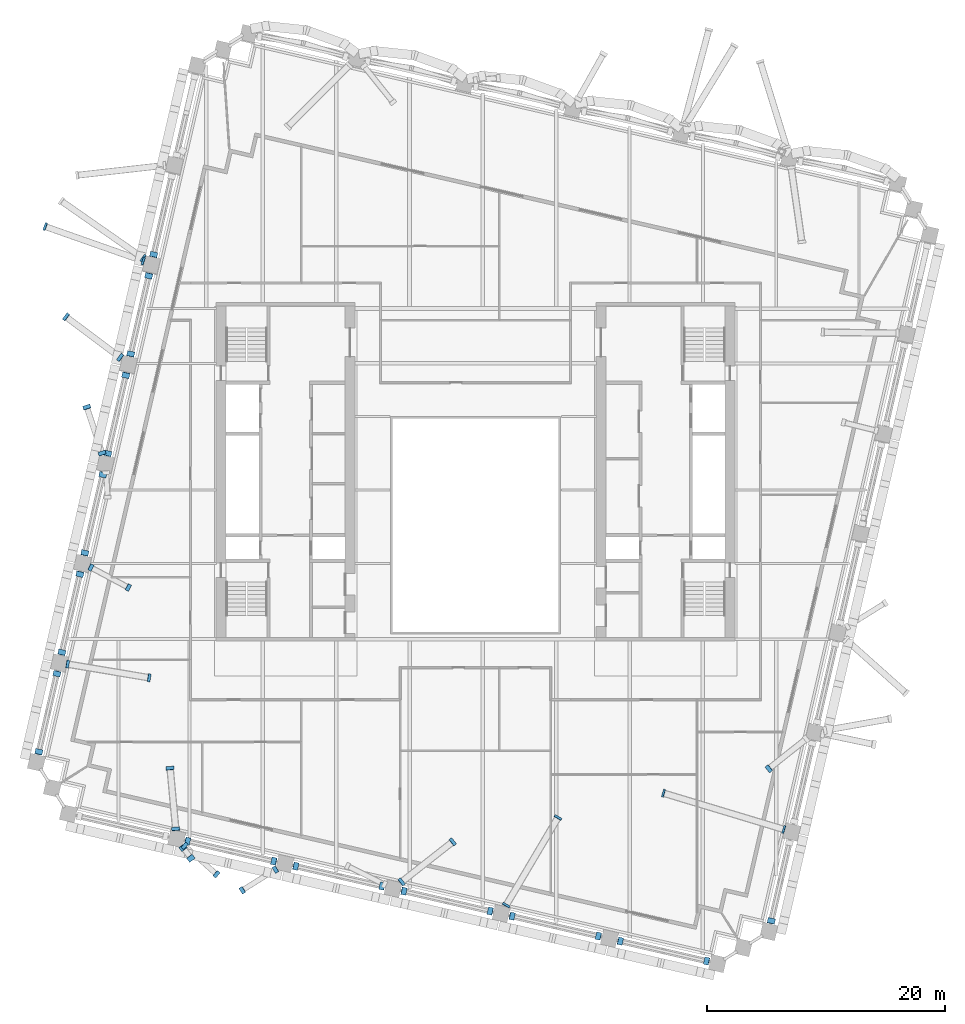
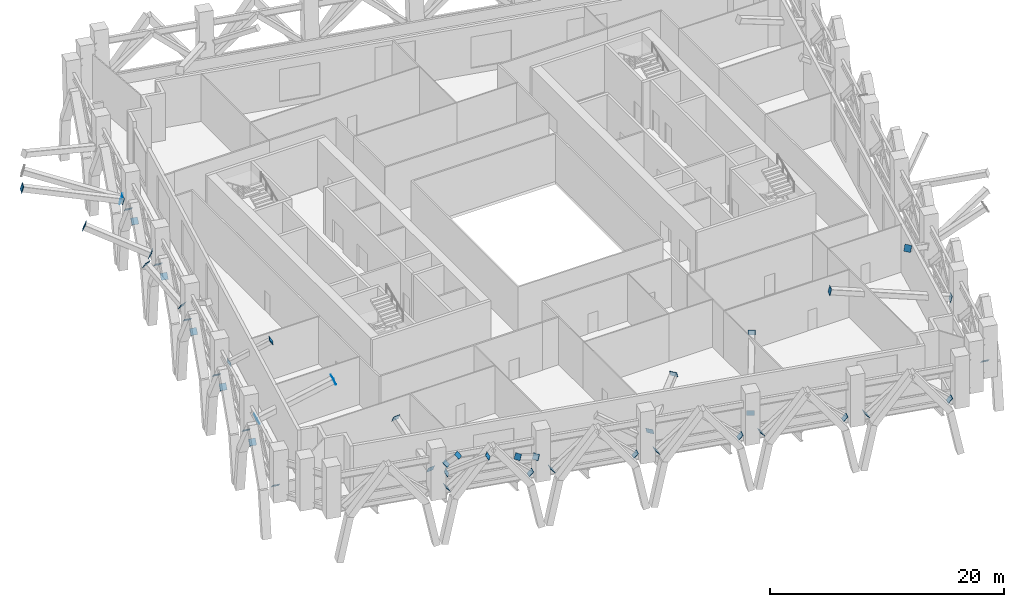
# One storey, part 12 of 20: 48 discrete accessories.
"""IFC4 building model written with IfcOpenShell, lengths in metres."""

import ifcopenshell
import ifcopenshell.guid

model = None  # the IFC model being written
_history = None  # IfcOwnerHistory: only IFC2X3 demands one
_inside = {}  # id of a spatial element -> (the spatial element, [elements in it])
_under = {}  # id of a project, library or spatial element -> (it, [spatial elements below it])
_declared = {}  # id of a project -> (the project, [libraries it declares])
_typed = {}  # id of a type object -> (the type object, [elements of that type])
_made_of = {}  # id of a material, layer set ... -> (it, [elements and type objects made of it])


def new_model(schema):
    """Start an empty IFC model of exactly this schema.

    Asked for "IFC4X3", IfcOpenShell would pick the latest addendum, in which some entities
    have other attributes; the version numbers below select the first issue.
    IFC2X3 requires an IfcOwnerHistory on every rooted entity: one is made here for all.
    """
    global model, _history
    if schema == "IFC4X3":
        model = ifcopenshell.file(schema_version=(4, 3, 0, 0))
    else:
        model = ifcopenshell.file(schema=schema)
    _inside.clear()
    _under.clear()
    _declared.clear()
    _typed.clear()
    _made_of.clear()
    _history = None
    if model.schema == "IFC2X3":
        org = make("IfcOrganization", Name="unknown")
        user = make(
            "IfcPersonAndOrganization",
            ThePerson=make("IfcPerson", FamilyName="unknown"),
            TheOrganization=org,
        )
        app = make(
            "IfcApplication",
            ApplicationDeveloper=org,
            Version="unknown",
            ApplicationFullName="unknown",
            ApplicationIdentifier="unknown",
        )
        _history = make(
            "IfcOwnerHistory",
            OwningUser=user,
            OwningApplication=app,
            ChangeAction="ADDED",
            CreationDate=0,
        )
    return model


def make(cls, **values):
    """One entity of the class cls with the attributes given. An attribute that is None is left unset."""
    return model.create_entity(
        cls, **{name: value for name, value in values.items() if value is not None}
    )


def rooted(cls, **values):
    """An entity with a GlobalId (a new one), such as an element, a storey or a relation."""
    return make(cls, GlobalId=ifcopenshell.guid.new(), OwnerHistory=_history, **values)


def si_unit(unit_type, name, prefix=None):
    """IfcSIUnit, for example si_unit("LENGTHUNIT", "METRE", prefix="MILLI")."""
    return make("IfcSIUnit", UnitType=unit_type, Prefix=prefix, Name=name)


def assignment(units):
    """IfcUnitAssignment: the units of a project."""
    return None if units is None else make("IfcUnitAssignment", Units=units)


def point(xyz):
    """IfcCartesianPoint."""
    return None if xyz is None else make("IfcCartesianPoint", Coordinates=xyz)


def direction(xyz):
    """IfcDirection."""
    return None if xyz is None else make("IfcDirection", DirectionRatios=xyz)


def frame(location, z_axis=None, x_axis=None):
    """IfcAxis2Placement3D, a coordinate frame: its origin and axes. An axis left out is left unset."""
    return make(
        "IfcAxis2Placement3D",
        Location=point(location),
        Axis=direction(z_axis),
        RefDirection=direction(x_axis),
    )


def frame_2d(location, x_axis=None):
    """IfcAxis2Placement2D, a coordinate frame in the plane: its origin and x axis."""
    return make(
        "IfcAxis2Placement2D", Location=point(location), RefDirection=direction(x_axis)
    )


def origin():
    """The frame at (0, 0, 0) with its axes left unset."""
    return frame((0.0, 0.0, 0.0))


def origin_2d():
    """The frame at (0, 0) in the plane with its x axis left unset."""
    return frame_2d((0.0, 0.0))


def place(relative_to, where):
    """IfcLocalPlacement: puts the frame where relative to a parent placement (None: the world)."""
    return make(
        "IfcLocalPlacement", PlacementRelTo=relative_to, RelativePlacement=where
    )


def context(
    kind, dimensions, precision=None, world=None, true_north=None, identifier=None
):
    """IfcGeometricRepresentationContext, for example the 3D "Model" context."""
    return make(
        "IfcGeometricRepresentationContext",
        ContextIdentifier=identifier,
        ContextType=kind,
        CoordinateSpaceDimension=dimensions,
        Precision=precision,
        WorldCoordinateSystem=world,
        TrueNorth=true_north,
    )


def subcontext(parent, identifier, kind, view, scale=None):
    """IfcGeometricRepresentationSubContext, for example "Body" below "Model"."""
    return make(
        "IfcGeometricRepresentationSubContext",
        ContextIdentifier=identifier,
        ContextType=kind,
        ParentContext=parent,
        TargetScale=scale,
        TargetView=view,
    )


def project(units=None, contexts=None):
    """IfcProject with its units and contexts."""
    return rooted(
        "IfcProject",
        Name="project",
        RepresentationContexts=contexts,
        UnitsInContext=assignment(units),
    )


def spatial(cls, under=None, at=None, **own):
    """A site, building, storey or space (cls), placed at a placement, below another one or the project."""
    s = rooted(cls, ObjectPlacement=at, **own)
    if under is not None:
        _under.setdefault(under.id(), (under, []))[1].append(s)
    return s


def profile(cls, at=None, kind="AREA", **sizes):
    """A parametric profile (cls). Its sizes go by their IFC names, for example OverallWidth=200.0."""
    return make(cls, ProfileType=kind, Position=at, **sizes)


def rectangle(**sizes):
    """IfcRectangleProfileDef."""
    return profile("IfcRectangleProfileDef", **sizes)


def extrude(swept, where, along, depth):
    """IfcExtrudedAreaSolid: the profile swept, set in the frame where, extruded along a direction by depth."""
    return make(
        "IfcExtrudedAreaSolid",
        SweptArea=swept,
        Position=where,
        ExtrudedDirection=direction(along),
        Depth=depth,
    )


def shape(context_of_items, identifier, shape_type, items):
    """IfcShapeRepresentation: the items that make up one representation, for example the "Body"."""
    return make(
        "IfcShapeRepresentation",
        ContextOfItems=context_of_items,
        RepresentationIdentifier=identifier,
        RepresentationType=shape_type,
        Items=items,
    )


def material(Name=None, Category=None):
    """IfcMaterial."""
    return make("IfcMaterial", Name=Name, Category=Category)


def material_profile(
    of_material, cross_section, Name=None, Category=None, Priority=None
):
    """IfcMaterialProfile: a cross section and its material."""
    return make(
        "IfcMaterialProfile",
        Name=Name,
        Material=of_material,
        Profile=cross_section,
        Priority=Priority,
        Category=Category,
    )


def profile_set(profiles, Name=None, composite=None):
    """IfcMaterialProfileSet."""
    return make(
        "IfcMaterialProfileSet",
        Name=Name,
        MaterialProfiles=profiles,
        CompositeProfile=composite,
    )


def made_of(thing, what):
    """Note that an element or type object is made of a material, layer set ...; save() writes the relation."""
    if what is not None:
        _made_of.setdefault(what.id(), (what, []))[1].append(thing)
    return thing


def type_object(cls, material=None, **own):
    """A type object (cls), such as IfcWallType, which elements share."""
    return made_of(rooted(cls, **own), material)


def element(
    cls,
    number,
    at=None,
    inside=None,
    cuts=None,
    type_object=None,
    material=None,
    context=None,
    identifier="Body",
    shape_type=None,
    held_by="IfcProductDefinitionShape",
    body=None,
    shapes=None,
    **own,
):
    """One element of the class cls, such as IfcWall. Its Tag is "e" and its number.

    at: its placement. inside: the storey or other place that contains it. cuts: it is an
    opening in that element (IfcRelVoidsElement). A single representation is given by context,
    identifier, shape_type and body (its items); several are given by shapes. held_by: the class
    of the entity that holds the representations. save() writes the other relations.
    """
    e = rooted(cls, Tag="e%d" % number, ObjectPlacement=at, **own)
    if body is not None:
        shapes = [shape(context, identifier, shape_type, body)]
    if shapes is not None:
        e.Representation = make(held_by, Representations=shapes)
    if inside is not None:
        _inside.setdefault(inside.id(), (inside, []))[1].append(e)
    if cuts is not None:
        rooted(
            "IfcRelVoidsElement", RelatingBuildingElement=cuts, RelatedOpeningElement=e
        )
    if type_object is not None:
        _typed.setdefault(type_object.id(), (type_object, []))[1].append(e)
    return made_of(e, material)


def aggregate(whole, parts):
    """IfcRelAggregates: a whole, such as a stair, and the parts it consists of."""
    return rooted("IfcRelAggregates", RelatingObject=whole, RelatedObjects=parts)


def save(model, path):
    """Write the relations noted so far, then the file.

    IfcRelAggregates (storeys below a building ...), IfcRelContainedInSpatialStructure (elements
    in a storey), IfcRelDefinesByType, IfcRelAssociatesMaterial and IfcRelDeclares: one each for
    every whole, place, type object, material and project.
    """
    for whole, parts in _under.values():
        aggregate(whole, parts)
    for where, things in _inside.values():
        rooted(
            "IfcRelContainedInSpatialStructure",
            RelatedElements=things,
            RelatingStructure=where,
        )
    for kind, things in _typed.values():
        rooted("IfcRelDefinesByType", RelatedObjects=things, RelatingType=kind)
    for what, things in _made_of.values():
        rooted("IfcRelAssociatesMaterial", RelatedObjects=things, RelatingMaterial=what)
    for by, libraries in _declared.values():
        rooted("IfcRelDeclares", RelatingContext=by, RelatedDefinitions=libraries)
    model.write(path)


model = new_model("IFC4")

# Units and contexts
model_context = context("Model", 3, precision=1e-05, world=origin(), true_north=direction((0.0, 1.0)))
body_context = subcontext(model_context, "Body", "Model", "MODEL_VIEW")
ifc_project = project(units=[si_unit("LENGTHUNIT", "METRE"), si_unit("AREAUNIT", "SQUARE_METRE"), si_unit("VOLUMEUNIT", "CUBIC_METRE"), si_unit("PLANEANGLEUNIT", "RADIAN"), si_unit("MASSUNIT", "GRAM", prefix="KILO")], contexts=[model_context])

# Site, building, storey
site_placement = place(None, origin())
site = spatial("IfcSite", under=ifc_project, at=site_placement, CompositionType="ELEMENT")
building_placement = place(site_placement, origin())
building = spatial("IfcBuilding", under=site, at=building_placement, Name="Ogive Exchange Tower", CompositionType="ELEMENT")
storey_placement = place(building_placement, frame((0.0, 0.0, 160.199951171875)))
storey = spatial("IfcBuildingStorey", under=building, at=storey_placement, Name="L35", CompositionType="ELEMENT", Elevation=160.199951171875)

# Discrete accessories
ifc_material = material(Name="Steel ASTM A572 Gr50", Category="steel")
ifc_material_profile_1 = material_profile(ifc_material, rectangle(XDim=0.576904296875, YDim=0.576904296875, at=origin_2d()), Name="PL 577 x 577 x 25")
ifc_profile_set_1 = profile_set([ifc_material_profile_1], Name="Steel ASTM A572 Gr50")
discrete_accessory_type_1 = type_object("IfcDiscreteAccessoryType", Name="Gusset plate 577 x 577 x 25", PredefinedType="USERDEFINED", material=ifc_profile_set_1)
discrete_accessory_1_placement = place(storey_placement, frame((-16.8408203125, -21.9921875, 2.701904296875), z_axis=(-0.717169849742, -0.451915247783, 0.530509203919), x_axis=(0.533120620218, -0.846039245129, 0.0)))
element("IfcDiscreteAccessory", 1, at=discrete_accessory_1_placement, inside=storey, type_object=discrete_accessory_type_1, Name="Block-change strut 1 end plate A", ObjectType="GUSSET PLATE", PredefinedType="USERDEFINED", context=body_context, shape_type="SweptSolid", body=[
    extrude(rectangle(XDim=0.576904296875, YDim=0.576904296875, at=origin_2d()), origin(), (0.0, 0.0, 1.0), 0.02490234375),
])
for number, where, z_axis, x_axis, name in (
    (2, (-19.63134765625, -23.73779296875, 4.74267578125), (-0.718717637169, -0.456482823607, 0.524469627123), (0.536137175467, -0.844130872011, 0.0), "Block-change strut 1 end plate B"),
    (3, (-32.39892578125, 3.441650390625, 2.52880859375), (0.750514422351, -0.399624562551, 0.526334789701), (0.469993150061, 0.882670062309, 0.0), "Block-change strut 27 end plate A"),
    (4, (-29.24951171875, 1.759033203125, 4.74267578125), (0.750514422351, -0.399624562551, 0.526334789701), (0.469993150061, 0.882670062309, 0.0), "Block-change strut 27 end plate B"),
    (5, (-24.631103515625, -20.141845703125, 3.59375), (0.407210809014, -0.552643240805, 0.727162158954), (0.805055837353, 0.59319903805, 0.0), "Block-change strut 30 end plate A"),
    (6, (-23.97705078125, -21.03759765625, 4.775390625), (0.409390950216, -0.545854600288, 0.731055268243), (0.8, 0.6, 0.0), "Block-change strut 30 end plate B"),
):
    element("IfcDiscreteAccessory", number, at=place(storey_placement, frame(where, z_axis=z_axis, x_axis=x_axis)), inside=storey, type_object=discrete_accessory_type_1, Name=name, ObjectType="GUSSET PLATE", PredefinedType="USERDEFINED", context=body_context, shape_type="SweptSolid", body=[
        extrude(rectangle(XDim=0.576904296875, YDim=0.576904296875, at=origin_2d()), origin(), (0.0, 0.0, 1.0), 0.025146484375),
    ])
for number, where, z_axis, x_axis, name in (
    (7, (-24.51318359375, -19.988525390625, 2.509033203125), (0.634184069181, -0.565887323269, 0.52686061132), (0.665787622684, 0.746141301284, 0.0), "Block-change strut 34 end plate A"),
    (8, (-21.823974609375, -22.385986328125, 4.74267578125), (0.634184069181, -0.565887323269, 0.52686061132), (0.665787622684, 0.746141301284, 0.0), "Block-change strut 34 end plate B"),
):
    element("IfcDiscreteAccessory", number, at=place(storey_placement, frame(where, z_axis=z_axis, x_axis=x_axis)), inside=storey, type_object=discrete_accessory_type_1, Name=name, ObjectType="GUSSET PLATE", PredefinedType="USERDEFINED", context=body_context, shape_type="SweptSolid", body=[
        extrude(rectangle(XDim=0.576904296875, YDim=0.576904296875, at=origin_2d()), origin(), (0.0, 0.0, 1.0), 0.02490234375),
    ])
ifc_material_profile_2 = material_profile(ifc_material, rectangle(XDim=0.6279296875, YDim=0.6279296875, at=origin_2d()), Name="PL 628 x 628 x 25")
ifc_profile_set_2 = profile_set([ifc_material_profile_2], Name="Steel ASTM A572 Gr50")
discrete_accessory_type_2 = type_object("IfcDiscreteAccessoryType", Name="Gusset plate 628 x 628 x 25", PredefinedType="USERDEFINED", material=ifc_profile_set_2)
for number, where, z_axis, x_axis, name in (
    (9, (-24.2568359375, -19.61279296875, 0.66796875), (0.735097682786, -0.164429744834, 0.657718979335), (0.218289838108, 0.97588398213, 0.0), "Belt truss diagonal 2a end plate A"),
    (10, (-16.976318359375, -21.29345703125, 0.66796875), (-0.730604202988, 0.165603619344, 0.662414477376), (-0.221059030643, -0.975260429307, 0.0), "Belt truss diagonal 2b end plate A"),
    (11, (-15.146484375, -21.716064453125, 0.66796875), (0.735097682786, -0.164429744834, 0.657718979335), (0.218289838108, 0.97588398213, 0.0), "Belt truss diagonal 3a end plate A"),
    (12, (-7.865966796875, -23.396728515625, 0.66796875), (-0.730604202988, 0.165603619344, 0.662414477376), (-0.221059030643, -0.975260429307, 0.0), "Belt truss diagonal 3b end plate A"),
    (13, (-6.0361328125, -23.8193359375, 0.66796875), (0.735097682786, -0.164429744834, 0.657718979335), (0.218289838108, 0.97588398213, 0.0), "Belt truss diagonal 4a end plate A"),
    (14, (1.244384765625, -25.5, 0.66796875), (-0.730604202988, 0.165603619344, 0.662414477376), (-0.221059030643, -0.975260429307, 0.0), "Belt truss diagonal 4b end plate A"),
    (15, (3.07421875, -25.922607421875, 0.66796875), (0.735097682786, -0.164429744834, 0.657718979335), (0.218289838108, 0.97588398213, 0.0), "Belt truss diagonal 5a end plate A"),
    (16, (10.354736328125, -27.603515625, 0.66796875), (-0.729393934173, 0.175054544201, 0.661317166983), (-0.233372952475, -0.972387301981, 0.0), "Belt truss diagonal 5b end plate A"),
    (17, (12.1845703125, -28.02587890625, 0.66796875), (0.730604202988, -0.165603619344, 0.662414477376), (0.221059030643, 0.975260429307, 0.0), "Belt truss diagonal 6a end plate A"),
    (18, (19.465087890625, -29.706787109375, 0.66796875), (-0.729393934173, 0.175054544201, 0.661317166983), (-0.233372952475, -0.972387301981, 0.0), "Belt truss diagonal 6b end plate A"),
):
    element("IfcDiscreteAccessory", number, at=place(storey_placement, frame(where, z_axis=z_axis, x_axis=x_axis)), inside=storey, type_object=discrete_accessory_type_2, Name=name, ObjectType="GUSSET PLATE", PredefinedType="USERDEFINED", context=body_context, shape_type="SweptSolid", body=[
        extrude(rectangle(XDim=0.6279296875, YDim=0.6279296875, at=origin_2d()), origin(), (0.0, 0.0, 1.0), 0.025146484375),
    ])
discrete_accessory_2_placement = place(storey_placement, frame((24.90283203125, -26.33154296875, 0.66796875), z_axis=(0.156285476843, 0.703284645792, 0.693516803489), x_axis=(-0.976187060184, 0.216930457819, 0.0)))
element("IfcDiscreteAccessory", 19, at=discrete_accessory_2_placement, inside=storey, type_object=discrete_accessory_type_2, Name="Belt truss diagonal 9a end plate A", ObjectType="GUSSET PLATE", PredefinedType="USERDEFINED", context=body_context, shape_type="SweptSolid", body=[
    extrude(rectangle(XDim=0.6279296875, YDim=0.6279296875, at=origin_2d()), origin(), (0.0, 0.0, 1.0), 0.02490234375),
])
discrete_accessory_3_placement = place(storey_placement, frame((-27.106689453125, 29.78466796875, 0.66796875), z_axis=(0.164537532289, 0.725900877744, 0.667828807524), x_axis=(-0.975260429307, 0.221059030643, 0.0)))
element("IfcDiscreteAccessory", 20, at=discrete_accessory_3_placement, inside=storey, type_object=discrete_accessory_type_2, Name="Belt truss diagonal 27b end plate A", ObjectType="GUSSET PLATE", PredefinedType="USERDEFINED", context=body_context, shape_type="SweptSolid", body=[
    extrude(rectangle(XDim=0.6279296875, YDim=0.6279296875, at=origin_2d()), origin(), (0.0, 0.0, 1.0), 0.025146484375),
])
discrete_accessory_4_placement = place(storey_placement, frame((-27.51708984375, 28.0078125, 0.66796875), z_axis=(-0.156255662749, -0.683618524527, 0.712916461293), x_axis=(0.974858506572, -0.222824801502, 0.0)))
element("IfcDiscreteAccessory", 21, at=discrete_accessory_4_placement, inside=storey, type_object=discrete_accessory_type_2, Name="Belt truss diagonal 28a end plate A", ObjectType="GUSSET PLATE", PredefinedType="USERDEFINED", context=body_context, shape_type="SweptSolid", body=[
    extrude(rectangle(XDim=0.6279296875, YDim=0.6279296875, at=origin_2d()), origin(), (0.0, 0.0, 1.0), 0.02490234375),
])
for number, where, z_axis, x_axis, name in (
    (22, (-29.040283203125, 21.4091796875, 0.66796875), (0.155098770599, 0.727025487181, 0.668863448207), (-0.977992836424, 0.208638471771, 0.0), "Belt truss diagonal 28b end plate A"),
    (23, (-29.45068359375, 19.632568359375, 0.66796875), (-0.155215495936, -0.688768763218, 0.70817070021), (0.97553613825, -0.219839129747, 0.0), "Belt truss diagonal 29a end plate A"),
    (24, (-30.97412109375, 13.033935546875, 0.66796875), (0.164614653236, 0.716557902321, 0.677825042736), (-0.974612694662, 0.223897510936, 0.0), "Belt truss diagonal 29b end plate A"),
):
    element("IfcDiscreteAccessory", number, at=place(storey_placement, frame(where, z_axis=z_axis, x_axis=x_axis)), inside=storey, type_object=discrete_accessory_type_2, Name=name, ObjectType="GUSSET PLATE", PredefinedType="USERDEFINED", context=body_context, shape_type="SweptSolid", body=[
        extrude(rectangle(XDim=0.6279296875, YDim=0.6279296875, at=origin_2d()), origin(), (0.0, 0.0, 1.0), 0.025146484375),
    ])
discrete_accessory_5_placement = place(storey_placement, frame((-31.38427734375, 11.257080078125, 0.66796875), z_axis=(-0.156285476843, -0.693516803489, 0.703284645792), x_axis=(0.97553613825, -0.219839129747, 0.0)))
element("IfcDiscreteAccessory", 25, at=discrete_accessory_5_placement, inside=storey, type_object=discrete_accessory_type_2, Name="Belt truss diagonal 30a end plate A", ObjectType="GUSSET PLATE", PredefinedType="USERDEFINED", context=body_context, shape_type="SweptSolid", body=[
    extrude(rectangle(XDim=0.6279296875, YDim=0.6279296875, at=origin_2d()), origin(), (0.0, 0.0, 1.0), 0.02490234375),
])
for number, where, z_axis, x_axis, name in (
    (26, (-32.90771484375, 4.65869140625, 0.66796875), (0.16576099239, 0.711797202617, 0.682545262784), (-0.973939528804, 0.226807835475, 0.0), "Belt truss diagonal 30b end plate A"),
    (27, (-33.31787109375, 2.8818359375, 0.66796875), (-0.164676428134, -0.69745310739, 0.69745310739), (0.97323960179, -0.229792683756, 0.0), "Belt truss diagonal 31a end plate A"),
):
    element("IfcDiscreteAccessory", number, at=place(storey_placement, frame(where, z_axis=z_axis, x_axis=x_axis)), inside=storey, type_object=discrete_accessory_type_2, Name=name, ObjectType="GUSSET PLATE", PredefinedType="USERDEFINED", context=body_context, shape_type="SweptSolid", body=[
        extrude(rectangle(XDim=0.6279296875, YDim=0.6279296875, at=origin_2d()), origin(), (0.0, 0.0, 1.0), 0.025146484375),
    ])
discrete_accessory_6_placement = place(storey_placement, frame((-34.84130859375, -3.716796875, 0.66796875), z_axis=(0.166915524868, 0.706936340617, 0.687299220044), x_axis=(-0.97323960179, 0.229792683756, 0.0)))
element("IfcDiscreteAccessory", 28, at=discrete_accessory_6_placement, inside=storey, type_object=discrete_accessory_type_2, Name="Belt truss diagonal 31b end plate A", ObjectType="GUSSET PLATE", PredefinedType="USERDEFINED", context=body_context, shape_type="SweptSolid", body=[
    extrude(rectangle(XDim=0.6279296875, YDim=0.6279296875, at=origin_2d()), origin(), (0.0, 0.0, 1.0), 0.02490234375),
])
for number, where, z_axis, x_axis, name in (
    (29, (-35.25146484375, -5.49365234375, 0.66796875), (-0.165792520872, -0.7021800884, 0.692427587172), (0.97323960179, -0.229792683756, 0.0), "Belt truss diagonal 32a end plate A"),
    (30, (-36.77490234375, -12.09228515625, 0.66796875), (0.16466097789, 0.707073610938, 0.687701731186), (-0.973939528804, 0.226807835475, 0.0), "Belt truss diagonal 32b end plate A"),
):
    element("IfcDiscreteAccessory", number, at=place(storey_placement, frame(where, z_axis=z_axis, x_axis=x_axis)), inside=storey, type_object=discrete_accessory_type_2, Name=name, ObjectType="GUSSET PLATE", PredefinedType="USERDEFINED", context=body_context, shape_type="SweptSolid", body=[
        extrude(rectangle(XDim=0.6279296875, YDim=0.6279296875, at=origin_2d()), origin(), (0.0, 0.0, 1.0), 0.025146484375),
    ])
discrete_accessory_7_placement = place(storey_placement, frame((24.701416015625, -13.50048828125, 4.71875), z_axis=(-0.673691932435, -0.537000815709, 0.507709862125), x_axis=(0.623312002576, -0.781973239596, 0.0)))
element("IfcDiscreteAccessory", 31, at=discrete_accessory_7_placement, inside=storey, type_object=discrete_accessory_type_2, Name="Block-change strut 6 end plate B", ObjectType="GUSSET PLATE", PredefinedType="USERDEFINED", context=body_context, shape_type="SweptSolid", body=[
    extrude(rectangle(XDim=0.6279296875, YDim=0.6279296875, at=origin_2d()), origin(), (0.0, 0.0, 1.0), 0.02490234375),
])
for number, where, z_axis, x_axis, name in (
    (32, (-31.4462890625, 13.056396484375, 2.330810546875), (-0.272681285496, 0.818043856488, 0.506408101636), (-0.948683298051, -0.316227766017, 0.0), "Block-change strut 25 end plate A"),
    (33, (-32.733154296875, 16.9287109375, 4.71826171875), (-0.272681285496, 0.818043856488, 0.506408101636), (-0.948683298051, -0.316227766017, 0.0), "Block-change strut 25 end plate B"),
):
    element("IfcDiscreteAccessory", number, at=place(storey_placement, frame(where, z_axis=z_axis, x_axis=x_axis)), inside=storey, type_object=discrete_accessory_type_2, Name=name, ObjectType="GUSSET PLATE", PredefinedType="USERDEFINED", context=body_context, shape_type="SweptSolid", body=[
        extrude(rectangle(XDim=0.6279296875, YDim=0.6279296875, at=origin_2d()), origin(), (0.0, 0.0, 1.0), 0.025146484375),
    ])
ifc_material_profile_3 = material_profile(ifc_material, rectangle(XDim=0.678955078125, YDim=0.678955078125, at=origin_2d()), Name="PL 679 x 679 x 25")
ifc_profile_set_3 = profile_set([ifc_material_profile_3], Name="Steel ASTM A572 Gr50")
discrete_accessory_type_3 = type_object("IfcDiscreteAccessoryType", Name="Gusset plate 679 x 679 x 25", PredefinedType="USERDEFINED", material=ifc_profile_set_3)
for number, where, z_axis, x_axis, name in (
    (34, (-6.232177734375, -23.043701171875, 2.2939453125), (0.721444969375, 0.565456867888, 0.399719510059), (-0.616881663227, 0.787055915151, 0.0), "Block-change strut 3 end plate A"),
    (35, (-1.933837890625, -19.669189453125, 4.683837890625), (0.721444969375, 0.565456867888, 0.399719510059), (-0.616881663227, 0.787055915151, 0.0), "Block-change strut 3 end plate B"),
    (36, (2.57470703125, -25.0087890625, 2.28076171875), (0.487741049369, 0.829159783928, 0.273134987647), (-0.861934215158, 0.507020126563, 0.0), "Block-change strut 4 end plate A"),
    (37, (6.938720703125, -17.62890625, 4.674072265625), (0.483820624823, 0.832171474695, 0.270939549901), (-0.864507186684, 0.502620457375, 0.0), "Block-change strut 4 end plate B"),
):
    element("IfcDiscreteAccessory", number, at=place(storey_placement, frame(where, z_axis=z_axis, x_axis=x_axis)), inside=storey, type_object=discrete_accessory_type_3, Name=name, ObjectType="GUSSET PLATE", PredefinedType="USERDEFINED", context=body_context, shape_type="SweptSolid", body=[
        extrude(rectangle(XDim=0.678955078125, YDim=0.678955078125, at=origin_2d()), origin(), (0.0, 0.0, 1.0), 0.025146484375),
    ])
for number, where, z_axis, x_axis, name in (
    (38, (25.973876953125, -18.62451171875, 2.27734375), (-0.931775653366, 0.284436778396, 0.225587789762), (-0.291962747791, -0.95642969104, 0.0), "Block-change strut 5 end plate A"),
    (39, (15.841064453125, -15.568115234375, 4.671875), (-0.931775653366, 0.284436778396, 0.225587789762), (-0.291962747791, -0.95642969104, 0.0), "Block-change strut 5 end plate B"),
    (40, (-27.9658203125, 29.236572265625, 2.280517578125), (-0.911852354496, 0.313755648859, 0.264731328725), (-0.32536391446, -0.945588876398, 0.0), "Block-change strut 23 end plate A"),
):
    element("IfcDiscreteAccessory", number, at=place(storey_placement, frame(where, z_axis=z_axis, x_axis=x_axis)), inside=storey, type_object=discrete_accessory_type_3, Name=name, ObjectType="GUSSET PLATE", PredefinedType="USERDEFINED", context=body_context, shape_type="SweptSolid", body=[
        extrude(rectangle(XDim=0.678955078125, YDim=0.678955078125, at=origin_2d()), origin(), (0.0, 0.0, 1.0), 0.02490234375),
    ])
for number, where, z_axis, x_axis, name in (
    (41, (-36.226318359375, 32.141357421875, 4.673828125), (-0.910691970339, 0.319711010864, 0.261581736161), (-0.331244504731, -0.94354495287, 0.0), "Block-change strut 23 end plate B"),
    (42, (-29.91259765625, 21.1171875, 2.292236328125), (-0.741260598909, 0.546192020249, 0.39013715732), (-0.59319903805, -0.805055837353, 0.0), "Block-change strut 24 end plate A"),
    (43, (-34.47607421875, 24.535400390625, 4.6826171875), (-0.74006473287, 0.555048549652, 0.379770060288), (-0.6, -0.8, 0.0), "Block-change strut 24 end plate B"),
):
    element("IfcDiscreteAccessory", number, at=place(storey_placement, frame(where, z_axis=z_axis, x_axis=x_axis)), inside=storey, type_object=discrete_accessory_type_3, Name=name, ObjectType="GUSSET PLATE", PredefinedType="USERDEFINED", context=body_context, shape_type="SweptSolid", body=[
        extrude(rectangle(XDim=0.678955078125, YDim=0.678955078125, at=origin_2d()), origin(), (0.0, 0.0, 1.0), 0.025146484375),
    ])
discrete_accessory_8_placement = place(storey_placement, frame((-34.362548828125, -4.698486328125, 2.28564453125), z_axis=(0.929898963337, -0.156614562246, 0.332805944773), x_axis=(0.166082011564, 0.986111943663, 0.0)))
element("IfcDiscreteAccessory", 44, at=discrete_accessory_8_placement, inside=storey, type_object=discrete_accessory_type_3, Name="Block-change strut 28 end plate A", ObjectType="GUSSET PLATE", PredefinedType="USERDEFINED", context=body_context, shape_type="SweptSolid", body=[
    extrude(rectangle(XDim=0.678955078125, YDim=0.678955078125, at=origin_2d()), origin(), (0.0, 0.0, 1.0), 0.02490234375),
])
for number, where, z_axis, x_axis, name in (
    (45, (-27.49951171875, -5.84716796875, 4.677734375), (0.934154503241, -0.155692417207, 0.321115610489), (0.164398987305, 0.986393923832, 0.0), "Block-change strut 28 end plate B"),
    (46, (-25.247314453125, -18.583984375, 2.296630859375), (-0.077842523314, 0.904919333526, 0.418403562813), (-0.996320557835, -0.085704994222, 0.0), "Block-change strut 29 end plate A"),
    (47, (-25.719482421875, -13.473876953125, 4.68603515625), (-0.077842523314, 0.904919333526, 0.418403562813), (-0.996320557835, -0.085704994222, 0.0), "Block-change strut 29 end plate B"),
    (48, (-27.981689453125, 29.482177734375, 2.28125), (-0.794806517005, 0.54279469454, 0.27139734727), (-0.563961646158, -0.825800981874, 0.0), "Block-change strut 33 end plate A"),
):
    element("IfcDiscreteAccessory", number, at=place(storey_placement, frame(where, z_axis=z_axis, x_axis=x_axis)), inside=storey, type_object=discrete_accessory_type_3, Name=name, ObjectType="GUSSET PLATE", PredefinedType="USERDEFINED", context=body_context, shape_type="SweptSolid", body=[
        extrude(rectangle(XDim=0.678955078125, YDim=0.678955078125, at=origin_2d()), origin(), (0.0, 0.0, 1.0), 0.025146484375),
    ])

save(model, "model.ifc")
